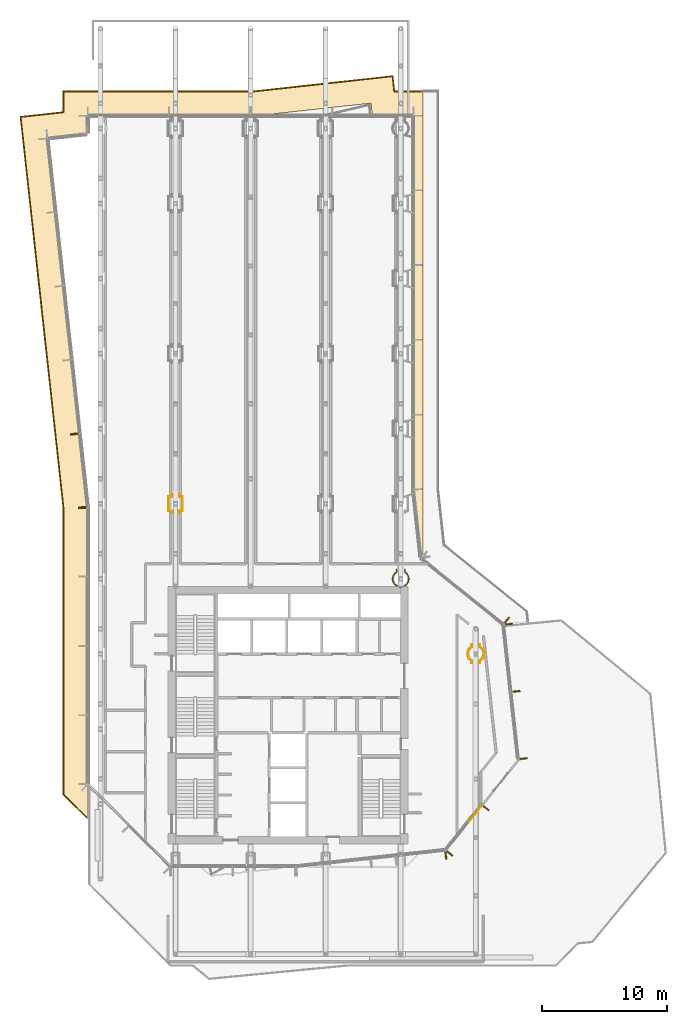
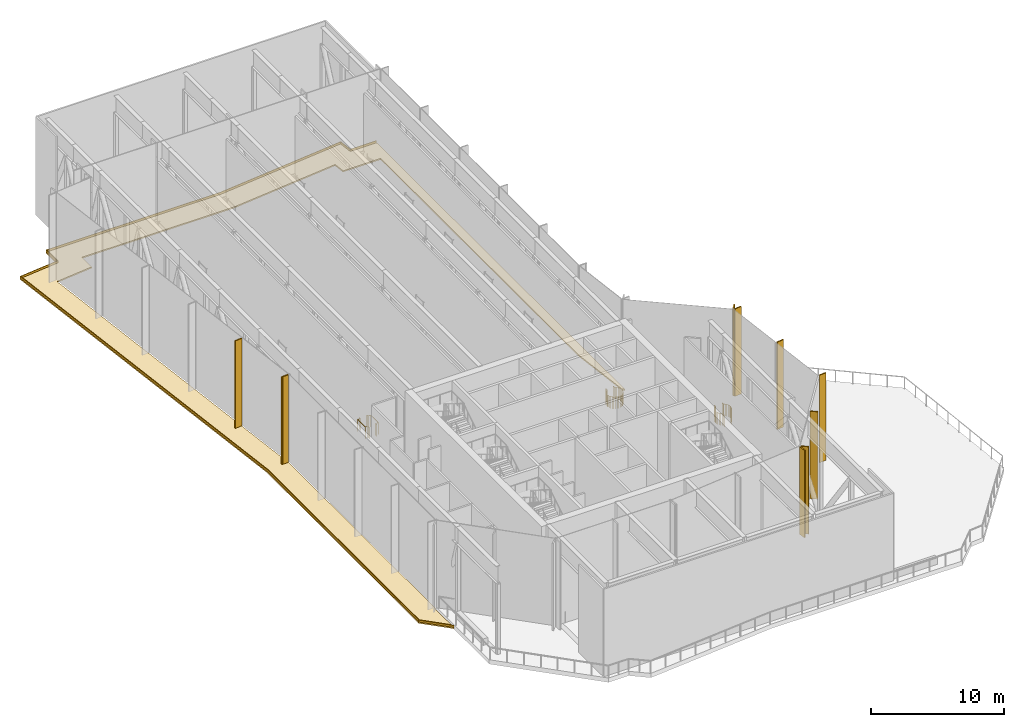
# One storey, part 19 of 22: 12 coverings, 6 railings.
"""IFC4 building model written with IfcOpenShell, lengths in metres."""

from ifc_helpers import new_model, si_unit, direction, frame, origin, origin_2d, place, context, subcontext, project, spatial, polyline, rectangle, circle, outline, extrude, material, layer, layer_set, type_object, element, save


model = new_model("IFC4")

# Units and contexts
model_context = context("Model", 3, precision=1e-05, world=origin(), true_north=direction((0.0, 1.0)))
body_context = subcontext(model_context, "Body", "Model", "MODEL_VIEW")
ifc_project = project(units=[si_unit("LENGTHUNIT", "METRE"), si_unit("AREAUNIT", "SQUARE_METRE"), si_unit("VOLUMEUNIT", "CUBIC_METRE"), si_unit("PLANEANGLEUNIT", "RADIAN"), si_unit("MASSUNIT", "GRAM", prefix="KILO")], contexts=[model_context])

# Site, building, storey
site_placement = place(None, origin())
site = spatial("IfcSite", under=ifc_project, at=site_placement, CompositionType="ELEMENT")
building_placement = place(site_placement, origin())
building = spatial("IfcBuilding", under=site, at=building_placement, Name="Welwitschia Terrace Campus", CompositionType="ELEMENT")
storey_placement = place(building_placement, frame((0.0, 0.0, 197.0)))
storey = spatial("IfcBuildingStorey", under=building, at=storey_placement, Name="L44", CompositionType="ELEMENT", Elevation=197.0)

# Coverings
ifc_material_1 = material(Name="Bronze anodised aluminium", Category="aluminium")
ifc_layer_1 = layer(ifc_material_1, 0.10009765625)
ifc_layer_set_1 = layer_set([ifc_layer_1], Name="Bronze anodised aluminium")
covering_type_1 = type_object("IfcCoveringType", Name="Bronze fin 100x600", PredefinedType="USERDEFINED", material=ifc_layer_set_1)
for number, where, z_axis, x_axis, name in (
    (1, (27.90869140625, 4.0498046875, 0.0), (0.0, 0.0, 1.0), (0.625923472184, 0.779884483093, 0.0), "Fin L44.0.0"),
    (2, (30.817626953125, 7.67431640625, 0.0), (0.0, 0.0, 1.0), (0.625923472184, 0.779884483093, 0.0), "Fin L44.0.1"),
    (3, (33.82373046875, 11.63134765625, 0.0), (0.0, 0.0, 1.0), (-0.108866874852, 0.994056338222, 0.0), "Fin L44.1.0"),
    (4, (33.235107421875, 17.004150390625, 0.0), (0.0, 0.0, 1.0), (-0.108866874852, 0.994056338222, 0.0), "Fin L44.1.1"),
    (5, (32.646728515625, 22.376953125, 0.0), (0.0, 0.0, 1.0), (-0.108866874852, 0.994056338222, 0.0), "Fin L44.1.2"),
    (6, (32.480224609375, 22.6806640625, 0.0), (0.0, 0.0, 1.0), (-0.779884483093, 0.625923472184, 0.0), "Fin L44.2.0"),
    (7, (-2.07421875, 37.576904296875, 0.0), (0.0, 0.0, 1.0), (0.108866874852, -0.994056338222, 0.0), "Fin L44.8.4"),
    (8, (-1.430908203125, 31.702880859375, 0.0), (0.0, 0.0, 1.0), (0.108866874852, -0.994056338222, 0.0), "Fin L44.8.5"),
    (9, (-1.429931640625, 31.6845703125, 0.0), (0.0, 0.0, 1.0), (0.0, -1.0, 0.0), "Fin L44.9.0"),
    (10, (27.60498046875, 3.88330078125, 0.0), (0.0, 0.0, 1.0), (0.994056338222, 0.108866874852, 0.0), "Fin L44.12.2"),
):
    element("IfcCovering", number, at=place(storey_placement, frame(where, z_axis=z_axis, x_axis=x_axis)), inside=storey, type_object=covering_type_1, Name=name, ObjectType="FIN", PredefinedType="USERDEFINED", context=body_context, shape_type="SweptSolid", body=[
        extrude(rectangle(XDim=0.10009765625, YDim=0.60009765625, at=origin_2d()), origin(), (0.0, 0.0, 1.0), 8.050048828125),
    ])

# Railings
ifc_material_2 = material(Name="Stainless steel grade 316", Category="steel")
railing_type = type_object("IfcRailingType", Name="Guard 1100", PredefinedType="GUARDRAIL", material=ifc_material_2)
railing_1_placement = place(storey_placement, frame((29.460205078125, 6.590087890625, 0.0)))
element("IfcRailing", 11, at=railing_1_placement, inside=storey, type_object=railing_type, Name="Guard terrace L44:0:0.1", PredefinedType="GUARDRAIL", context=body_context, shape_type="SweptSolid", body=[
    extrude(circle(Radius=0.02392578125, at=origin_2d()), frame((0.0, 0.0, 1.076171875), z_axis=(0.625922434878, 0.779885315618, 0.0), x_axis=(-0.779885315618, 0.625922434878, 0.0)), (0.0, 0.0, 1.0), 1.60009765625),
    extrude(circle(Radius=0.02099609375, at=origin_2d()), origin(), (0.0, 0.0, 1.0), 1.052001953125),
    extrude(circle(Radius=0.02099609375, at=origin_2d()), frame((0.500732421875, 0.6240234375, 0.0)), (0.0, 0.0, 1.0), 1.052001953125),
    extrude(circle(Radius=0.02099609375, at=origin_2d()), frame((1.00146484375, 1.247802734375, 0.0)), (0.0, 0.0, 1.0), 1.052001953125),
])
railing_2_placement = place(storey_placement, frame((29.669921875, 20.7333984375, 0.0)))
element("IfcRailing", 12, at=railing_2_placement, inside=storey, type_object=railing_type, Name="Guard floor edge L44.3", PredefinedType="GUARDRAIL", context=body_context, shape_type="SweptSolid", body=[
    extrude(circle(Radius=0.02392578125, at=origin_2d()), frame((0.0, 0.0, 1.076171875), z_axis=(0.0, -1.0, 0.0), x_axis=(1.0, 0.0, 0.0)), (0.0, 0.0, 1.0), 0.181396484375),
    extrude(circle(Radius=0.02392578125, at=origin_2d()), frame((0.0, -0.181396484375, 1.076171875), z_axis=(-0.883604146744, -0.468234676052, 0.0), x_axis=(0.468234676052, -0.883604146744, 0.0)), (0.0, 0.0, 1.0), 0.0322265625),
    extrude(circle(Radius=0.02392578125, at=origin_2d()), frame((-0.028564453125, -0.196533203125, 1.076171875), z_axis=(-0.773097611008, -0.634287067386, 0.0), x_axis=(0.634287067386, -0.773097611008, 0.0)), (0.0, 0.0, 1.0), 0.126708984375),
    extrude(circle(Radius=0.02392578125, at=origin_2d()), frame((-0.12646484375, -0.27685546875, 1.076171875), z_axis=(-0.634287067386, -0.773097611008, 0.0), x_axis=(0.773097611008, -0.634287067386, 0.0)), (0.0, 0.0, 1.0), 0.126708984375),
    extrude(circle(Radius=0.02392578125, at=origin_2d()), frame((-0.206787109375, -0.374755859375, 1.076171875), z_axis=(-0.470988937455, -0.882139116463, 0.0), x_axis=(0.882139116463, -0.470988937455, 0.0)), (0.0, 0.0, 1.0), 0.12646484375),
    extrude(circle(Radius=0.02392578125, at=origin_2d()), frame((-0.266357421875, -0.486328125, 1.076171875), z_axis=(-0.291238363653, -0.956650519018, 0.0), x_axis=(0.956650519018, -0.291238363653, 0.0)), (0.0, 0.0, 1.0), 0.12646484375),
    extrude(circle(Radius=0.02392578125, at=origin_2d()), frame((-0.30322265625, -0.607421875, 1.076171875), z_axis=(-0.096447487817, -0.995338074271, 0.0), x_axis=(0.995338074271, -0.096447487817, 0.0)), (0.0, 0.0, 1.0), 0.12646484375),
    extrude(circle(Radius=0.02392578125, at=origin_2d()), frame((-0.3154296875, -0.7333984375, 1.076171875), z_axis=(0.096447487817, -0.995338074271, 0.0), x_axis=(0.995338074271, 0.096447487817, 0.0)), (0.0, 0.0, 1.0), 0.12646484375),
    extrude(circle(Radius=0.02392578125, at=origin_2d()), frame((-0.30322265625, -0.859375, 1.076171875), z_axis=(0.291238363653, -0.956650519018, 0.0), x_axis=(0.956650519018, 0.291238363653, 0.0)), (0.0, 0.0, 1.0), 0.12646484375),
    extrude(circle(Radius=0.02392578125, at=origin_2d()), frame((-0.266357421875, -0.98046875, 1.076171875), z_axis=(0.470988937455, -0.882139116463, 0.0), x_axis=(0.882139116463, 0.470988937455, 0.0)), (0.0, 0.0, 1.0), 0.12646484375),
    extrude(circle(Radius=0.02392578125, at=origin_2d()), frame((-0.206787109375, -1.092041015625, 1.076171875), z_axis=(0.634287067386, -0.773097611008, 0.0), x_axis=(0.773097611008, 0.634287067386, 0.0)), (0.0, 0.0, 1.0), 0.126708984375),
    extrude(circle(Radius=0.02392578125, at=origin_2d()), frame((-0.12646484375, -1.18994140625, 1.076171875), z_axis=(0.773097611008, -0.634287067386, 0.0), x_axis=(0.634287067386, 0.773097611008, 0.0)), (0.0, 0.0, 1.0), 0.126708984375),
    extrude(circle(Radius=0.02392578125, at=origin_2d()), frame((-0.028564453125, -1.270263671875, 1.076171875), z_axis=(0.883604146744, -0.468234676052, 0.0), x_axis=(0.468234676052, 0.883604146744, 0.0)), (0.0, 0.0, 1.0), 0.0322265625),
    extrude(circle(Radius=0.02392578125, at=origin_2d()), frame((0.0, -1.285400390625, 1.076171875), z_axis=(0.0, -1.0, 0.0), x_axis=(1.0, 0.0, 0.0)), (0.0, 0.0, 1.0), 0.181396484375),
    extrude(circle(Radius=0.02099609375, at=origin_2d()), origin(), (0.0, 0.0, 1.0), 1.052001953125),
    extrude(circle(Radius=0.02099609375, at=origin_2d()), frame((0.0, -0.181396484375, 0.0)), (0.0, 0.0, 1.0), 1.052001953125),
    extrude(circle(Radius=0.02099609375, at=origin_2d()), frame((-0.028564453125, -0.196533203125, 0.0)), (0.0, 0.0, 1.0), 1.052001953125),
    extrude(circle(Radius=0.02099609375, at=origin_2d()), frame((-0.12646484375, -0.27685546875, 0.0)), (0.0, 0.0, 1.0), 1.052001953125),
    extrude(circle(Radius=0.02099609375, at=origin_2d()), frame((-0.206787109375, -0.374755859375, 0.0)), (0.0, 0.0, 1.0), 1.052001953125),
    extrude(circle(Radius=0.02099609375, at=origin_2d()), frame((-0.266357421875, -0.486328125, 0.0)), (0.0, 0.0, 1.0), 1.052001953125),
    extrude(circle(Radius=0.02099609375, at=origin_2d()), frame((-0.30322265625, -0.607421875, 0.0)), (0.0, 0.0, 1.0), 1.052001953125),
    extrude(circle(Radius=0.02099609375, at=origin_2d()), frame((-0.3154296875, -0.7333984375, 0.0)), (0.0, 0.0, 1.0), 1.052001953125),
    extrude(circle(Radius=0.02099609375, at=origin_2d()), frame((-0.30322265625, -0.859375, 0.0)), (0.0, 0.0, 1.0), 1.052001953125),
    extrude(circle(Radius=0.02099609375, at=origin_2d()), frame((-0.266357421875, -0.98046875, 0.0)), (0.0, 0.0, 1.0), 1.052001953125),
    extrude(circle(Radius=0.02099609375, at=origin_2d()), frame((-0.206787109375, -1.092041015625, 0.0)), (0.0, 0.0, 1.0), 1.052001953125),
    extrude(circle(Radius=0.02099609375, at=origin_2d()), frame((-0.12646484375, -1.18994140625, 0.0)), (0.0, 0.0, 1.0), 1.052001953125),
    extrude(circle(Radius=0.02099609375, at=origin_2d()), frame((-0.028564453125, -1.270263671875, 0.0)), (0.0, 0.0, 1.0), 1.052001953125),
    extrude(circle(Radius=0.02099609375, at=origin_2d()), frame((0.0, -1.285400390625, 0.0)), (0.0, 0.0, 1.0), 1.052001953125),
    extrude(circle(Radius=0.02099609375, at=origin_2d()), frame((0.0, -1.466796875, 0.0)), (0.0, 0.0, 1.0), 1.052001953125),
])
railing_3_placement = place(storey_placement, frame((30.330078125, 19.2666015625, 0.0)))
element("IfcRailing", 13, at=railing_3_placement, inside=storey, type_object=railing_type, Name="Guard floor edge L44.4", PredefinedType="GUARDRAIL", context=body_context, shape_type="SweptSolid", body=[
    extrude(circle(Radius=0.02392578125, at=origin_2d()), frame((0.0, 0.0, 1.076171875), z_axis=(0.0, 1.0, 0.0), x_axis=(-1.0, 0.0, 0.0)), (0.0, 0.0, 1.0), 0.181396484375),
    extrude(circle(Radius=0.02392578125, at=origin_2d()), frame((0.0, 0.181396484375, 1.076171875), z_axis=(0.883604146744, 0.468234676052, 0.0), x_axis=(-0.468234676052, 0.883604146744, 0.0)), (0.0, 0.0, 1.0), 0.0322265625),
    extrude(circle(Radius=0.02392578125, at=origin_2d()), frame((0.028564453125, 0.196533203125, 1.076171875), z_axis=(0.773097611008, 0.634287067386, 0.0), x_axis=(-0.634287067386, 0.773097611008, 0.0)), (0.0, 0.0, 1.0), 0.126708984375),
    extrude(circle(Radius=0.02392578125, at=origin_2d()), frame((0.12646484375, 0.27685546875, 1.076171875), z_axis=(0.634287067386, 0.773097611008, 0.0), x_axis=(-0.773097611008, 0.634287067386, 0.0)), (0.0, 0.0, 1.0), 0.126708984375),
    extrude(circle(Radius=0.02392578125, at=origin_2d()), frame((0.206787109375, 0.374755859375, 1.076171875), z_axis=(0.470988937455, 0.882139116463, 0.0), x_axis=(-0.882139116463, 0.470988937455, 0.0)), (0.0, 0.0, 1.0), 0.12646484375),
    extrude(circle(Radius=0.02392578125, at=origin_2d()), frame((0.266357421875, 0.486328125, 1.076171875), z_axis=(0.291238363653, 0.956650519018, 0.0), x_axis=(-0.956650519018, 0.291238363653, 0.0)), (0.0, 0.0, 1.0), 0.12646484375),
    extrude(circle(Radius=0.02392578125, at=origin_2d()), frame((0.30322265625, 0.607421875, 1.076171875), z_axis=(0.096447487817, 0.995338074271, 0.0), x_axis=(-0.995338074271, 0.096447487817, 0.0)), (0.0, 0.0, 1.0), 0.12646484375),
    extrude(circle(Radius=0.02392578125, at=origin_2d()), frame((0.3154296875, 0.7333984375, 1.076171875), z_axis=(-0.096447487817, 0.995338074271, 0.0), x_axis=(-0.995338074271, -0.096447487817, 0.0)), (0.0, 0.0, 1.0), 0.12646484375),
    extrude(circle(Radius=0.02392578125, at=origin_2d()), frame((0.30322265625, 0.859375, 1.076171875), z_axis=(-0.291238363653, 0.956650519018, 0.0), x_axis=(-0.956650519018, -0.291238363653, 0.0)), (0.0, 0.0, 1.0), 0.12646484375),
    extrude(circle(Radius=0.02392578125, at=origin_2d()), frame((0.266357421875, 0.98046875, 1.076171875), z_axis=(-0.470988937455, 0.882139116463, 0.0), x_axis=(-0.882139116463, -0.470988937455, 0.0)), (0.0, 0.0, 1.0), 0.12646484375),
    extrude(circle(Radius=0.02392578125, at=origin_2d()), frame((0.206787109375, 1.092041015625, 1.076171875), z_axis=(-0.634287067386, 0.773097611008, 0.0), x_axis=(-0.773097611008, -0.634287067386, 0.0)), (0.0, 0.0, 1.0), 0.126708984375),
    extrude(circle(Radius=0.02392578125, at=origin_2d()), frame((0.12646484375, 1.18994140625, 1.076171875), z_axis=(-0.773097611008, 0.634287067386, 0.0), x_axis=(-0.634287067386, -0.773097611008, 0.0)), (0.0, 0.0, 1.0), 0.126708984375),
    extrude(circle(Radius=0.02392578125, at=origin_2d()), frame((0.028564453125, 1.270263671875, 1.076171875), z_axis=(-0.883604146744, 0.468234676052, 0.0), x_axis=(-0.468234676052, -0.883604146744, 0.0)), (0.0, 0.0, 1.0), 0.0322265625),
    extrude(circle(Radius=0.02392578125, at=origin_2d()), frame((0.0, 1.285400390625, 1.076171875), z_axis=(0.0, 1.0, 0.0), x_axis=(-1.0, 0.0, 0.0)), (0.0, 0.0, 1.0), 0.181396484375),
    extrude(circle(Radius=0.02099609375, at=origin_2d()), origin(), (0.0, 0.0, 1.0), 1.052001953125),
    extrude(circle(Radius=0.02099609375, at=origin_2d()), frame((0.0, 0.181396484375, 0.0)), (0.0, 0.0, 1.0), 1.052001953125),
    extrude(circle(Radius=0.02099609375, at=origin_2d()), frame((0.028564453125, 0.196533203125, 0.0)), (0.0, 0.0, 1.0), 1.052001953125),
    extrude(circle(Radius=0.02099609375, at=origin_2d()), frame((0.12646484375, 0.27685546875, 0.0)), (0.0, 0.0, 1.0), 1.052001953125),
    extrude(circle(Radius=0.02099609375, at=origin_2d()), frame((0.206787109375, 0.374755859375, 0.0)), (0.0, 0.0, 1.0), 1.052001953125),
    extrude(circle(Radius=0.02099609375, at=origin_2d()), frame((0.266357421875, 0.486328125, 0.0)), (0.0, 0.0, 1.0), 1.052001953125),
    extrude(circle(Radius=0.02099609375, at=origin_2d()), frame((0.30322265625, 0.607421875, 0.0)), (0.0, 0.0, 1.0), 1.052001953125),
    extrude(circle(Radius=0.02099609375, at=origin_2d()), frame((0.3154296875, 0.7333984375, 0.0)), (0.0, 0.0, 1.0), 1.052001953125),
    extrude(circle(Radius=0.02099609375, at=origin_2d()), frame((0.30322265625, 0.859375, 0.0)), (0.0, 0.0, 1.0), 1.052001953125),
    extrude(circle(Radius=0.02099609375, at=origin_2d()), frame((0.266357421875, 0.98046875, 0.0)), (0.0, 0.0, 1.0), 1.052001953125),
    extrude(circle(Radius=0.02099609375, at=origin_2d()), frame((0.206787109375, 1.092041015625, 0.0)), (0.0, 0.0, 1.0), 1.052001953125),
    extrude(circle(Radius=0.02099609375, at=origin_2d()), frame((0.12646484375, 1.18994140625, 0.0)), (0.0, 0.0, 1.0), 1.052001953125),
    extrude(circle(Radius=0.02099609375, at=origin_2d()), frame((0.028564453125, 1.270263671875, 0.0)), (0.0, 0.0, 1.0), 1.052001953125),
    extrude(circle(Radius=0.02099609375, at=origin_2d()), frame((0.0, 1.285400390625, 0.0)), (0.0, 0.0, 1.0), 1.052001953125),
    extrude(circle(Radius=0.02099609375, at=origin_2d()), frame((0.0, 1.466796875, 0.0)), (0.0, 0.0, 1.0), 1.052001953125),
])
railing_4_placement = place(storey_placement, frame((23.669921875, 26.7333984375, 0.0)))
element("IfcRailing", 14, at=railing_4_placement, inside=storey, type_object=railing_type, Name="Guard floor edge L44.5", PredefinedType="GUARDRAIL", context=body_context, shape_type="SweptSolid", body=[
    extrude(circle(Radius=0.02392578125, at=origin_2d()), frame((0.0, 0.0, 1.076171875), z_axis=(0.0, -1.0, 0.0), x_axis=(1.0, 0.0, 0.0)), (0.0, 0.0, 1.0), 0.181396484375),
    extrude(circle(Radius=0.02392578125, at=origin_2d()), frame((0.0, -0.181396484375, 1.076171875), z_axis=(-0.883604146744, -0.468234676052, 0.0), x_axis=(0.468234676052, -0.883604146744, 0.0)), (0.0, 0.0, 1.0), 0.0322265625),
    extrude(circle(Radius=0.02392578125, at=origin_2d()), frame((-0.028564453125, -0.196533203125, 1.076171875), z_axis=(-0.773097611008, -0.634287067386, 0.0), x_axis=(0.634287067386, -0.773097611008, 0.0)), (0.0, 0.0, 1.0), 0.126708984375),
    extrude(circle(Radius=0.02392578125, at=origin_2d()), frame((-0.12646484375, -0.27685546875, 1.076171875), z_axis=(-0.634287067386, -0.773097611008, 0.0), x_axis=(0.773097611008, -0.634287067386, 0.0)), (0.0, 0.0, 1.0), 0.126708984375),
    extrude(circle(Radius=0.02392578125, at=origin_2d()), frame((-0.206787109375, -0.374755859375, 1.076171875), z_axis=(-0.470988937455, -0.882139116463, 0.0), x_axis=(0.882139116463, -0.470988937455, 0.0)), (0.0, 0.0, 1.0), 0.12646484375),
    extrude(circle(Radius=0.02392578125, at=origin_2d()), frame((-0.266357421875, -0.486328125, 1.076171875), z_axis=(-0.291238363653, -0.956650519018, 0.0), x_axis=(0.956650519018, -0.291238363653, 0.0)), (0.0, 0.0, 1.0), 0.12646484375),
    extrude(circle(Radius=0.02392578125, at=origin_2d()), frame((-0.30322265625, -0.607421875, 1.076171875), z_axis=(-0.096447487817, -0.995338074271, 0.0), x_axis=(0.995338074271, -0.096447487817, 0.0)), (0.0, 0.0, 1.0), 0.12646484375),
    extrude(circle(Radius=0.02392578125, at=origin_2d()), frame((-0.3154296875, -0.7333984375, 1.076171875), z_axis=(0.096447487817, -0.995338074271, 0.0), x_axis=(0.995338074271, 0.096447487817, 0.0)), (0.0, 0.0, 1.0), 0.12646484375),
    extrude(circle(Radius=0.02392578125, at=origin_2d()), frame((-0.30322265625, -0.859375, 1.076171875), z_axis=(0.291238363653, -0.956650519018, 0.0), x_axis=(0.956650519018, 0.291238363653, 0.0)), (0.0, 0.0, 1.0), 0.12646484375),
    extrude(circle(Radius=0.02392578125, at=origin_2d()), frame((-0.266357421875, -0.98046875, 1.076171875), z_axis=(0.470988937455, -0.882139116463, 0.0), x_axis=(0.882139116463, 0.470988937455, 0.0)), (0.0, 0.0, 1.0), 0.12646484375),
    extrude(circle(Radius=0.02392578125, at=origin_2d()), frame((-0.206787109375, -1.092041015625, 1.076171875), z_axis=(0.634287067386, -0.773097611008, 0.0), x_axis=(0.773097611008, 0.634287067386, 0.0)), (0.0, 0.0, 1.0), 0.126708984375),
    extrude(circle(Radius=0.02392578125, at=origin_2d()), frame((-0.12646484375, -1.18994140625, 1.076171875), z_axis=(0.773097611008, -0.634287067386, 0.0), x_axis=(0.634287067386, 0.773097611008, 0.0)), (0.0, 0.0, 1.0), 0.126708984375),
    extrude(circle(Radius=0.02392578125, at=origin_2d()), frame((-0.028564453125, -1.270263671875, 1.076171875), z_axis=(0.882139116463, -0.470988937455, 0.0), x_axis=(0.470988937455, 0.882139116463, 0.0)), (0.0, 0.0, 1.0), 0.12646484375),
    extrude(circle(Radius=0.02392578125, at=origin_2d()), frame((0.0830078125, -1.329833984375, 1.076171875), z_axis=(0.956650519018, -0.291238363653, 0.0), x_axis=(0.291238363653, 0.956650519018, 0.0)), (0.0, 0.0, 1.0), 0.12646484375),
    extrude(circle(Radius=0.02392578125, at=origin_2d()), frame((0.2041015625, -1.36669921875, 1.076171875), z_axis=(0.995338074271, -0.096447487817, 0.0), x_axis=(0.096447487817, 0.995338074271, 0.0)), (0.0, 0.0, 1.0), 0.12646484375),
    extrude(circle(Radius=0.02392578125, at=origin_2d()), frame((0.330078125, -1.37890625, 1.076171875), z_axis=(0.995338074271, 0.096447487817, 0.0), x_axis=(-0.096447487817, 0.995338074271, 0.0)), (0.0, 0.0, 1.0), 0.12646484375),
    extrude(circle(Radius=0.02392578125, at=origin_2d()), frame((0.4560546875, -1.36669921875, 1.076171875), z_axis=(0.956650519018, 0.291238363653, 0.0), x_axis=(-0.291238363653, 0.956650519018, 0.0)), (0.0, 0.0, 1.0), 0.12646484375),
    extrude(circle(Radius=0.02392578125, at=origin_2d()), frame((0.5771484375, -1.329833984375, 1.076171875), z_axis=(0.882139116463, 0.470988937455, 0.0), x_axis=(-0.470988937455, 0.882139116463, 0.0)), (0.0, 0.0, 1.0), 0.12646484375),
    extrude(circle(Radius=0.02392578125, at=origin_2d()), frame((0.688720703125, -1.270263671875, 1.076171875), z_axis=(0.773097611008, 0.634287067386, 0.0), x_axis=(-0.634287067386, 0.773097611008, 0.0)), (0.0, 0.0, 1.0), 0.126708984375),
    extrude(circle(Radius=0.02392578125, at=origin_2d()), frame((0.78662109375, -1.18994140625, 1.076171875), z_axis=(0.634287067386, 0.773097611008, 0.0), x_axis=(-0.773097611008, 0.634287067386, 0.0)), (0.0, 0.0, 1.0), 0.126708984375),
    extrude(circle(Radius=0.02392578125, at=origin_2d()), frame((0.866943359375, -1.092041015625, 1.076171875), z_axis=(0.470988937455, 0.882139116463, 0.0), x_axis=(-0.882139116463, 0.470988937455, 0.0)), (0.0, 0.0, 1.0), 0.12646484375),
    extrude(circle(Radius=0.02392578125, at=origin_2d()), frame((0.926513671875, -0.98046875, 1.076171875), z_axis=(0.291238363653, 0.956650519018, 0.0), x_axis=(-0.956650519018, 0.291238363653, 0.0)), (0.0, 0.0, 1.0), 0.12646484375),
    extrude(circle(Radius=0.02392578125, at=origin_2d()), frame((0.96337890625, -0.859375, 1.076171875), z_axis=(0.096447487817, 0.995338074271, 0.0), x_axis=(-0.995338074271, 0.096447487817, 0.0)), (0.0, 0.0, 1.0), 0.12646484375),
    extrude(circle(Radius=0.02392578125, at=origin_2d()), frame((0.9755859375, -0.7333984375, 1.076171875), z_axis=(-0.096447487817, 0.995338074271, 0.0), x_axis=(-0.995338074271, -0.096447487817, 0.0)), (0.0, 0.0, 1.0), 0.12646484375),
    extrude(circle(Radius=0.02392578125, at=origin_2d()), frame((0.96337890625, -0.607421875, 1.076171875), z_axis=(-0.291238363653, 0.956650519018, 0.0), x_axis=(-0.956650519018, -0.291238363653, 0.0)), (0.0, 0.0, 1.0), 0.12646484375),
    extrude(circle(Radius=0.02392578125, at=origin_2d()), frame((0.926513671875, -0.486328125, 1.076171875), z_axis=(-0.470988937455, 0.882139116463, 0.0), x_axis=(-0.882139116463, -0.470988937455, 0.0)), (0.0, 0.0, 1.0), 0.12646484375),
    extrude(circle(Radius=0.02392578125, at=origin_2d()), frame((0.866943359375, -0.374755859375, 1.076171875), z_axis=(-0.634287067386, 0.773097611008, 0.0), x_axis=(-0.773097611008, -0.634287067386, 0.0)), (0.0, 0.0, 1.0), 0.126708984375),
    extrude(circle(Radius=0.02392578125, at=origin_2d()), frame((0.78662109375, -0.27685546875, 1.076171875), z_axis=(-0.773097611008, 0.634287067386, 0.0), x_axis=(-0.634287067386, -0.773097611008, 0.0)), (0.0, 0.0, 1.0), 0.126708984375),
    extrude(circle(Radius=0.02392578125, at=origin_2d()), frame((0.688720703125, -0.196533203125, 1.076171875), z_axis=(-0.883604146744, 0.468234676052, 0.0), x_axis=(-0.468234676052, -0.883604146744, 0.0)), (0.0, 0.0, 1.0), 0.0322265625),
    extrude(circle(Radius=0.02392578125, at=origin_2d()), frame((0.66015625, -0.181396484375, 1.076171875), z_axis=(0.0, 1.0, 0.0), x_axis=(-1.0, 0.0, 0.0)), (0.0, 0.0, 1.0), 0.181396484375),
    extrude(circle(Radius=0.02099609375, at=origin_2d()), origin(), (0.0, 0.0, 1.0), 1.052001953125),
    extrude(circle(Radius=0.02099609375, at=origin_2d()), frame((0.0, -0.181396484375, 0.0)), (0.0, 0.0, 1.0), 1.052001953125),
    extrude(circle(Radius=0.02099609375, at=origin_2d()), frame((-0.028564453125, -0.196533203125, 0.0)), (0.0, 0.0, 1.0), 1.052001953125),
    extrude(circle(Radius=0.02099609375, at=origin_2d()), frame((-0.12646484375, -0.27685546875, 0.0)), (0.0, 0.0, 1.0), 1.052001953125),
    extrude(circle(Radius=0.02099609375, at=origin_2d()), frame((-0.206787109375, -0.374755859375, 0.0)), (0.0, 0.0, 1.0), 1.052001953125),
    extrude(circle(Radius=0.02099609375, at=origin_2d()), frame((-0.266357421875, -0.486328125, 0.0)), (0.0, 0.0, 1.0), 1.052001953125),
    extrude(circle(Radius=0.02099609375, at=origin_2d()), frame((-0.30322265625, -0.607421875, 0.0)), (0.0, 0.0, 1.0), 1.052001953125),
    extrude(circle(Radius=0.02099609375, at=origin_2d()), frame((-0.3154296875, -0.7333984375, 0.0)), (0.0, 0.0, 1.0), 1.052001953125),
    extrude(circle(Radius=0.02099609375, at=origin_2d()), frame((-0.30322265625, -0.859375, 0.0)), (0.0, 0.0, 1.0), 1.052001953125),
    extrude(circle(Radius=0.02099609375, at=origin_2d()), frame((-0.266357421875, -0.98046875, 0.0)), (0.0, 0.0, 1.0), 1.052001953125),
    extrude(circle(Radius=0.02099609375, at=origin_2d()), frame((-0.206787109375, -1.092041015625, 0.0)), (0.0, 0.0, 1.0), 1.052001953125),
    extrude(circle(Radius=0.02099609375, at=origin_2d()), frame((-0.12646484375, -1.18994140625, 0.0)), (0.0, 0.0, 1.0), 1.052001953125),
    extrude(circle(Radius=0.02099609375, at=origin_2d()), frame((-0.028564453125, -1.270263671875, 0.0)), (0.0, 0.0, 1.0), 1.052001953125),
    extrude(circle(Radius=0.02099609375, at=origin_2d()), frame((0.0830078125, -1.329833984375, 0.0)), (0.0, 0.0, 1.0), 1.052001953125),
    extrude(circle(Radius=0.02099609375, at=origin_2d()), frame((0.2041015625, -1.36669921875, 0.0)), (0.0, 0.0, 1.0), 1.052001953125),
    extrude(circle(Radius=0.02099609375, at=origin_2d()), frame((0.330078125, -1.37890625, 0.0)), (0.0, 0.0, 1.0), 1.052001953125),
    extrude(circle(Radius=0.02099609375, at=origin_2d()), frame((0.4560546875, -1.36669921875, 0.0)), (0.0, 0.0, 1.0), 1.052001953125),
    extrude(circle(Radius=0.02099609375, at=origin_2d()), frame((0.5771484375, -1.329833984375, 0.0)), (0.0, 0.0, 1.0), 1.052001953125),
    extrude(circle(Radius=0.02099609375, at=origin_2d()), frame((0.688720703125, -1.270263671875, 0.0)), (0.0, 0.0, 1.0), 1.052001953125),
    extrude(circle(Radius=0.02099609375, at=origin_2d()), frame((0.78662109375, -1.18994140625, 0.0)), (0.0, 0.0, 1.0), 1.052001953125),
    extrude(circle(Radius=0.02099609375, at=origin_2d()), frame((0.866943359375, -1.092041015625, 0.0)), (0.0, 0.0, 1.0), 1.052001953125),
    extrude(circle(Radius=0.02099609375, at=origin_2d()), frame((0.926513671875, -0.98046875, 0.0)), (0.0, 0.0, 1.0), 1.052001953125),
    extrude(circle(Radius=0.02099609375, at=origin_2d()), frame((0.96337890625, -0.859375, 0.0)), (0.0, 0.0, 1.0), 1.052001953125),
    extrude(circle(Radius=0.02099609375, at=origin_2d()), frame((0.9755859375, -0.7333984375, 0.0)), (0.0, 0.0, 1.0), 1.052001953125),
    extrude(circle(Radius=0.02099609375, at=origin_2d()), frame((0.96337890625, -0.607421875, 0.0)), (0.0, 0.0, 1.0), 1.052001953125),
    extrude(circle(Radius=0.02099609375, at=origin_2d()), frame((0.926513671875, -0.486328125, 0.0)), (0.0, 0.0, 1.0), 1.052001953125),
    extrude(circle(Radius=0.02099609375, at=origin_2d()), frame((0.866943359375, -0.374755859375, 0.0)), (0.0, 0.0, 1.0), 1.052001953125),
    extrude(circle(Radius=0.02099609375, at=origin_2d()), frame((0.78662109375, -0.27685546875, 0.0)), (0.0, 0.0, 1.0), 1.052001953125),
    extrude(circle(Radius=0.02099609375, at=origin_2d()), frame((0.688720703125, -0.196533203125, 0.0)), (0.0, 0.0, 1.0), 1.052001953125),
    extrude(circle(Radius=0.02099609375, at=origin_2d()), frame((0.66015625, -0.181396484375, 0.0)), (0.0, 0.0, 1.0), 1.052001953125),
    extrude(circle(Radius=0.02099609375, at=origin_2d()), frame((0.66015625, 0.0, 0.0)), (0.0, 0.0, 1.0), 1.052001953125),
])
railing_5_placement = place(storey_placement, frame((5.669921875, 32.72998046875, 0.0)))
element("IfcRailing", 15, at=railing_5_placement, inside=storey, type_object=railing_type, Name="Guard floor edge L44.38", PredefinedType="GUARDRAIL", context=body_context, shape_type="SweptSolid", body=[
    extrude(circle(Radius=0.02392578125, at=origin_2d()), frame((0.0, 0.0, 1.076171875), z_axis=(0.0, -1.0, 0.0), x_axis=(1.0, 0.0, 0.0)), (0.0, 0.0, 1.0), 0.159912109375),
    extrude(circle(Radius=0.02392578125, at=origin_2d()), frame((0.0, -0.159912109375, 1.076171875), z_axis=(-1.0, 0.0, 0.0), x_axis=(0.0, -1.0, 0.0)), (0.0, 0.0, 1.0), 0.239990234375),
    extrude(circle(Radius=0.02392578125, at=origin_2d()), frame((-0.239990234375, -0.159912109375, 1.076171875), z_axis=(0.0, -1.0, 0.0), x_axis=(1.0, 0.0, 0.0)), (0.0, 0.0, 1.0), 1.14013671875),
    extrude(circle(Radius=0.02392578125, at=origin_2d()), frame((-0.239990234375, -1.300048828125, 1.076171875), z_axis=(1.0, 0.0, 0.0), x_axis=(0.0, 1.0, 0.0)), (0.0, 0.0, 1.0), 0.239990234375),
    extrude(circle(Radius=0.02392578125, at=origin_2d()), frame((0.0, -1.300048828125, 1.076171875), z_axis=(0.0, -1.0, 0.0), x_axis=(1.0, 0.0, 0.0)), (0.0, 0.0, 1.0), 0.159912109375),
    extrude(circle(Radius=0.02099609375, at=origin_2d()), origin(), (0.0, 0.0, 1.0), 1.052001953125),
    extrude(circle(Radius=0.02099609375, at=origin_2d()), frame((0.0, -0.159912109375, 0.0)), (0.0, 0.0, 1.0), 1.052001953125),
    extrude(circle(Radius=0.02099609375, at=origin_2d()), frame((-0.239990234375, -0.159912109375, 0.0)), (0.0, 0.0, 1.0), 1.052001953125),
    extrude(circle(Radius=0.02099609375, at=origin_2d()), frame((-0.239990234375, -1.300048828125, 0.0)), (0.0, 0.0, 1.0), 1.052001953125),
    extrude(circle(Radius=0.02099609375, at=origin_2d()), frame((0.0, -1.300048828125, 0.0)), (0.0, 0.0, 1.0), 1.052001953125),
    extrude(circle(Radius=0.02099609375, at=origin_2d()), frame((0.0, -1.4599609375, 0.0)), (0.0, 0.0, 1.0), 1.052001953125),
])
railing_6_placement = place(storey_placement, frame((6.330078125, 31.27001953125, 0.0)))
element("IfcRailing", 16, at=railing_6_placement, inside=storey, type_object=railing_type, Name="Guard floor edge L44.39", PredefinedType="GUARDRAIL", context=body_context, shape_type="SweptSolid", body=[
    extrude(circle(Radius=0.02392578125, at=origin_2d()), frame((0.0, 0.0, 1.076171875), z_axis=(0.0, 1.0, 0.0), x_axis=(-1.0, 0.0, 0.0)), (0.0, 0.0, 1.0), 0.159912109375),
    extrude(circle(Radius=0.02392578125, at=origin_2d()), frame((0.0, 0.159912109375, 1.076171875), z_axis=(1.0, 0.0, 0.0), x_axis=(0.0, 1.0, 0.0)), (0.0, 0.0, 1.0), 0.239990234375),
    extrude(circle(Radius=0.02392578125, at=origin_2d()), frame((0.239990234375, 0.159912109375, 1.076171875), z_axis=(0.0, 1.0, 0.0), x_axis=(-1.0, 0.0, 0.0)), (0.0, 0.0, 1.0), 1.14013671875),
    extrude(circle(Radius=0.02392578125, at=origin_2d()), frame((0.239990234375, 1.300048828125, 1.076171875), z_axis=(-1.0, 0.0, 0.0), x_axis=(0.0, -1.0, 0.0)), (0.0, 0.0, 1.0), 0.239990234375),
    extrude(circle(Radius=0.02392578125, at=origin_2d()), frame((0.0, 1.300048828125, 1.076171875), z_axis=(0.0, 1.0, 0.0), x_axis=(-1.0, 0.0, 0.0)), (0.0, 0.0, 1.0), 0.159912109375),
    extrude(circle(Radius=0.02099609375, at=origin_2d()), origin(), (0.0, 0.0, 1.0), 1.052001953125),
    extrude(circle(Radius=0.02099609375, at=origin_2d()), frame((0.0, 0.159912109375, 0.0)), (0.0, 0.0, 1.0), 1.052001953125),
    extrude(circle(Radius=0.02099609375, at=origin_2d()), frame((0.239990234375, 0.159912109375, 0.0)), (0.0, 0.0, 1.0), 1.052001953125),
    extrude(circle(Radius=0.02099609375, at=origin_2d()), frame((0.239990234375, 1.300048828125, 0.0)), (0.0, 0.0, 1.0), 1.052001953125),
    extrude(circle(Radius=0.02099609375, at=origin_2d()), frame((0.0, 1.300048828125, 0.0)), (0.0, 0.0, 1.0), 1.052001953125),
    extrude(circle(Radius=0.02099609375, at=origin_2d()), frame((0.0, 1.4599609375, 0.0)), (0.0, 0.0, 1.0), 1.052001953125),
])

# Coverings
ifc_material_3 = material(Name="Bronze anodised aluminium", Category="aluminium")
ifc_layer_2 = layer(ifc_material_3, 0.1201171875)
ifc_layer_set_2 = layer_set([ifc_layer_2], Name="Bronze anodised aluminium")
covering_type_2 = type_object("IfcCoveringType", Name="Sunshade band 2000", PredefinedType="USERDEFINED", material=ifc_layer_set_2)
covering_1_placement = place(storey_placement, frame((0.0, 0.0, -0.300048828125)))
element("IfcCovering", 17, at=covering_1_placement, inside=storey, type_object=covering_type_2, Name="SUNSHADE L44.SW0", ObjectType="SUNSHADE", PredefinedType="USERDEFINED", context=body_context, shape_type="SweptSolid", body=[
    extrude(outline(polyline([(23.38818359375, 66.224853515625), (23.5224609375, 65.0), (25.7724609375, 65.0), (25.7724609375, 27.512939453125), (25.600830078125, 27.650634765625), (25.0, 33.13671875), (25.0, 63.0), (21.7294921875, 63.0), (21.617919921875, 64.018798828125), (12.31396484375, 63.0), (-1.0, 63.0), (-1.0, 61.5419921875), (-4.2275390625, 61.1884765625), (-1.0, 31.71728515625), (-1.0, 9.656494140625), (-1.050048828125, 9.70654296875), (-1.050048828125, 6.807373046875), (-3.0, 8.75732421875), (-3.0, 31.608154296875), (-6.43359375, 62.958740234375), (-3.0, 63.334716796875), (-3.0, 65.0), (12.204833984375, 65.0), (23.38818359375, 66.224853515625)])), origin(), (0.0, 0.0, 1.0), 0.1201171875),
])
ifc_material_4 = material(Name="Bronze anodised aluminium", Category="aluminium")
ifc_layer_3 = layer(ifc_material_4, 0.06005859375)
ifc_layer_set_3 = layer_set([ifc_layer_3], Name="Bronze anodised aluminium")
covering_type_3 = type_object("IfcCoveringType", Name="Sunshade lip 60", PredefinedType="USERDEFINED", material=ifc_layer_set_3)
covering_2_placement = place(storey_placement, frame((0.0, 0.0, -0.179931640625)))
element("IfcCovering", 18, at=covering_2_placement, inside=storey, type_object=covering_type_3, Name="SUNSHADE LIP L44.SW0.0", ObjectType="SUNSHADE", PredefinedType="USERDEFINED", context=body_context, shape_type="SweptSolid", body=[
    extrude(outline(polyline([(23.5224609375, 65.0), (25.7724609375, 65.0), (25.7724609375, 64.93994140625), (23.468505859375, 64.93994140625), (23.335205078125, 66.15869140625), (12.2080078125, 64.93994140625), (-2.93994140625, 64.93994140625), (-2.93994140625, 63.281005859375), (-6.3671875, 62.90576171875), (-2.93994140625, 31.611328125), (-2.93994140625, 8.7822265625), (-1.050048828125, 6.89208984375), (-1.050048828125, 6.807373046875), (-3.0, 8.75732421875), (-3.0, 31.608154296875), (-6.43359375, 62.958740234375), (-3.0, 63.334716796875), (-3.0, 65.0), (12.204833984375, 65.0), (23.38818359375, 66.224853515625), (23.5224609375, 65.0)])), origin(), (0.0, 0.0, 1.0), 0.179931640625),
])

save(model, "model.ifc")
